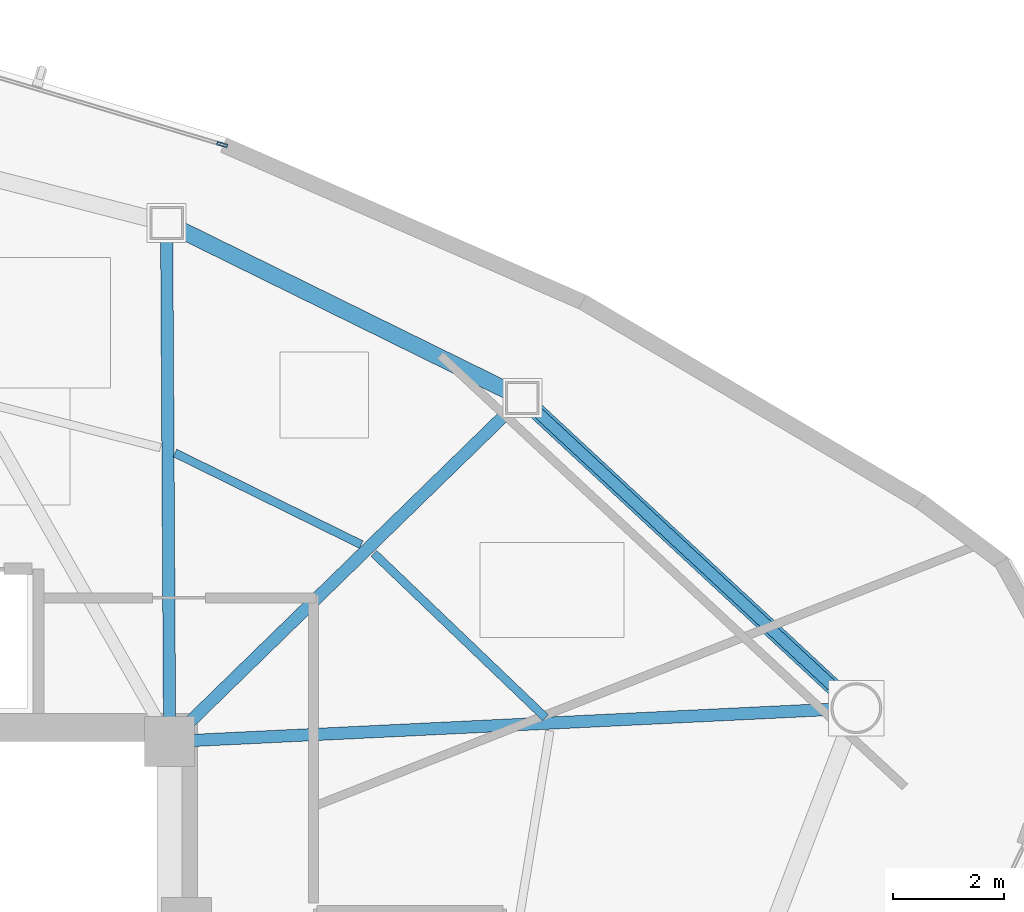
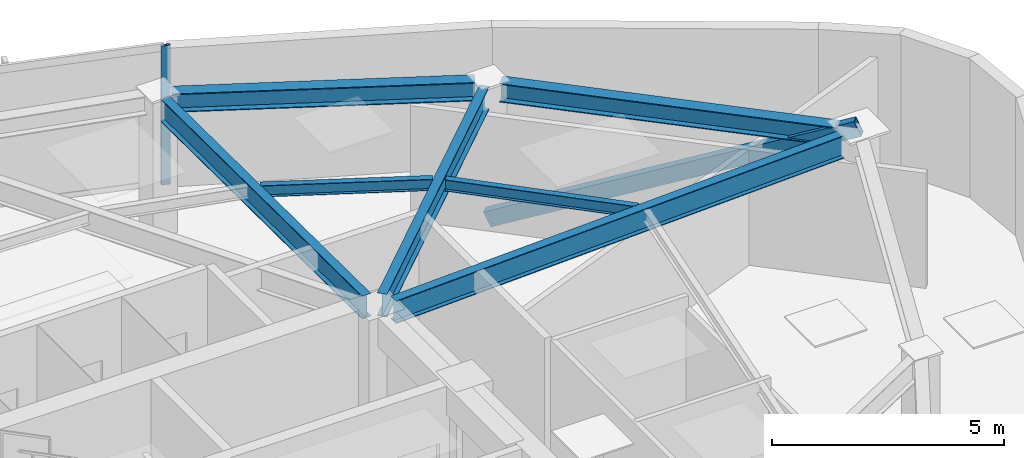
# One storey, part 6 of 13: 7 beams, 2 members, 1 element without a shape of its own.
"""IFC4 building model written with IfcOpenShell, lengths in metres."""

from ifc_helpers import new_model, si_unit, direction, frame, origin, origin_2d, place, context, subcontext, project, spatial, hollow_rectangle, i_section, extrude, source, transform, mapped, material, layer, layer_set, material_profile, profile_set, type_object, type_shapes, element, aggregate, save


model = new_model("IFC4")

# Units and contexts
model_context = context("Model", 3, precision=1e-05, world=origin(), true_north=direction((0.0, 1.0)))
body_context = subcontext(model_context, "Body", "Model", "MODEL_VIEW")
ifc_project = project(units=[si_unit("LENGTHUNIT", "METRE"), si_unit("AREAUNIT", "SQUARE_METRE"), si_unit("VOLUMEUNIT", "CUBIC_METRE"), si_unit("PLANEANGLEUNIT", "RADIAN"), si_unit("MASSUNIT", "GRAM", prefix="KILO")], contexts=[model_context])

# Site, building, storey
site_placement = place(None, origin())
site = spatial("IfcSite", under=ifc_project, at=site_placement, CompositionType="ELEMENT")
building_placement = place(site_placement, origin())
building = spatial("IfcBuilding", under=site, at=building_placement, Name="Tavelor Broadcast Tower", CompositionType="ELEMENT")
storey_placement = place(building_placement, frame((0.0, 0.0, 237.949951171875)))
storey = spatial("IfcBuildingStorey", under=building, at=storey_placement, Name="L56", CompositionType="ELEMENT", Elevation=237.949951171875)

# Beams
ifc_material_1 = material(Name="Steel S355", Category="steel")
ifc_material_profile_1 = material_profile(ifc_material_1, i_section(OverallWidth=0.14990234375, OverallDepth=0.300048828125, WebThickness=0.007080078125, FlangeThickness=0.0107421875, at=origin_2d()), Name="IPE 300")
ifc_profile_set_1 = profile_set([ifc_material_profile_1], Name="Steel S355")
beam_type_1 = type_object("IfcBeamType", Name="Composite Floor Joist T5 IPE 300", PredefinedType="JOIST", material=ifc_profile_set_1)
beam_1_placement = place(storey_placement, frame((63.3427734375, 51.629150390625, 3.5), z_axis=(-0.722407874214, 0.691467181632, 0.0), x_axis=(-0.691467181632, -0.722407874214, 0.0)))
element("IfcBeam", 1, at=beam_1_placement, inside=storey, type_object=beam_type_1, Name="L56 Secondary Composite Floor Joist 13", PredefinedType="JOIST", context=body_context, shape_type="SweptSolid", body=[
    extrude(i_section(OverallWidth=0.14990234375, OverallDepth=0.300048828125, WebThickness=0.007080078125, FlangeThickness=0.0107421875, at=origin_2d()), origin(), (0.0, 0.0, 1.0), 4.260986328125),
])
beam_2_placement = place(storey_placement, frame((60.038818359375, 54.7333984375, 3.5), z_axis=(-0.897394619692, 0.441228848272, 0.0), x_axis=(-0.441228848272, -0.897394619692, 0.0)))
element("IfcBeam", 2, at=beam_2_placement, inside=storey, type_object=beam_type_1, Name="L56 Secondary Composite Floor Joist 14", PredefinedType="JOIST", context=body_context, shape_type="SweptSolid", body=[
    extrude(i_section(OverallWidth=0.14990234375, OverallDepth=0.300048828125, WebThickness=0.007080078125, FlangeThickness=0.0107421875, at=origin_2d()), origin(), (0.0, 0.0, 1.0), 3.7265625),
])
ifc_material_profile_2 = material_profile(ifc_material_1, i_section(OverallWidth=0.300048828125, OverallDepth=0.489990234375, WebThickness=0.011962890625, FlangeThickness=0.02294921875, at=origin_2d()), Name="HEA 500")
ifc_profile_set_2 = profile_set([ifc_material_profile_2], Name="Steel S355")
beam_type_2 = type_object("IfcBeamType", Name="Perimeter Spandrel Beam T5 HEA 500", PredefinedType="SPANDREL", material=ifc_profile_set_2)
beam_3_placement = place(storey_placement, frame((68.59814453125, 52.09765625, 3.405029296875), z_axis=(-0.732770151307, 0.680476234231, 0.0), x_axis=(-0.680476234231, -0.732770151307, 0.0)))
element("IfcBeam", 3, at=beam_3_placement, inside=storey, type_object=beam_type_2, Name="L56 Framed-Tube Ring Spandrel 13", PredefinedType="SPANDREL", context=body_context, shape_type="SweptSolid", body=[
    extrude(i_section(OverallWidth=0.300048828125, OverallDepth=0.489990234375, WebThickness=0.011962890625, FlangeThickness=0.02294921875, at=origin_2d()), origin(), (0.0, 0.0, 1.0), 7.451171875),
])
beam_4_placement = place(storey_placement, frame((62.668701171875, 57.4912109375, 3.405029296875), z_axis=(-0.897262651787, 0.441497150284, 0.0), x_axis=(-0.441497150284, -0.897262651787, 0.0)))
element("IfcBeam", 4, at=beam_4_placement, inside=storey, type_object=beam_type_2, Name="L56 Framed-Tube Ring Spandrel 14", PredefinedType="SPANDREL", context=body_context, shape_type="SweptSolid", body=[
    extrude(i_section(OverallWidth=0.300048828125, OverallDepth=0.489990234375, WebThickness=0.011962890625, FlangeThickness=0.02294921875, at=origin_2d()), origin(), (0.0, 0.0, 1.0), 6.536376953125),
])

# Member
ifc_material_profile_3 = material_profile(ifc_material_1, hollow_rectangle(XDim=0.199951171875, YDim=0.39990234375, WallThickness=0.01611328125, at=origin_2d()), Name="RHS 400x200x16")
ifc_profile_set_3 = profile_set([ifc_material_profile_3], Name="Steel S355")
member_type_1 = type_object("IfcMemberType", Name="Perimeter Tube Brace T5 RHS 400x200x16", PredefinedType="BRACE", material=ifc_profile_set_3)
member_1_placement = place(storey_placement, frame((62.92724609375, 57.364013671875, 0.0), z_axis=(0.669132570724, -0.621397751765, 0.407586109794), x_axis=(0.680486595916, 0.732760528944, 0.0)))
element("IfcMember", 5, at=member_1_placement, inside=storey, type_object=member_type_1, Name="L56 Corner Tube Diagonal Brace 3", PredefinedType="BRACE", context=body_context, shape_type="SweptSolid", body=[
    extrude(hollow_rectangle(XDim=0.199951171875, YDim=0.39990234375, WallThickness=0.01611328125, at=origin_2d()), origin(), (0.0, 0.0, 1.0), 8.95556640625),
])

# Beams
ifc_material_profile_4 = material_profile(ifc_material_1, i_section(OverallWidth=0.219970703125, OverallDepth=0.60009765625, WebThickness=0.011962890625, FlangeThickness=0.01904296875, at=origin_2d()), Name="IPE 600")
ifc_profile_set_4 = profile_set([ifc_material_profile_4], Name="Steel S355")
beam_type_3 = type_object("IfcBeamType", Name="Radial Floor Girder T5 IPE 600", PredefinedType="BEAM", material=ifc_profile_set_4)
beam_5_placement = place(storey_placement, frame((57.031494140625, 51.220947265625, 3.35009765625), z_axis=(0.998819342989, 0.048579008537, 0.0), x_axis=(-0.048579008537, 0.998819342989, 0.0)))
element("IfcBeam", 6, at=beam_5_placement, inside=storey, type_object=beam_type_3, Name="L56 Radial Primary Floor Girder 13", PredefinedType="BEAM", context=body_context, shape_type="SweptSolid", body=[
    extrude(i_section(OverallWidth=0.219970703125, OverallDepth=0.60009765625, WebThickness=0.011962890625, FlangeThickness=0.01904296875, at=origin_2d()), origin(), (0.0, 0.0, 1.0), 11.46337890625),
])
beam_6_placement = place(storey_placement, frame((56.909423828125, 51.50146484375, 3.35009765625), z_axis=(0.716299388852, 0.697793082175, 0.0), x_axis=(-0.697793082175, 0.716299388852, 0.0)))
element("IfcBeam", 7, at=beam_6_placement, inside=storey, type_object=beam_type_3, Name="L56 Radial Primary Floor Girder 14", PredefinedType="BEAM", context=body_context, shape_type="SweptSolid", body=[
    extrude(i_section(OverallWidth=0.219970703125, OverallDepth=0.60009765625, WebThickness=0.011962890625, FlangeThickness=0.01904296875, at=origin_2d()), origin(), (0.0, 0.0, 1.0), 8.11328125),
])
beam_7_placement = place(storey_placement, frame((56.597412109375, 51.632080078125, 3.35009765625), z_axis=(-0.005830390092, 0.999983003131, 0.0), x_axis=(-0.999983003131, -0.005830390092, 0.0)))
element("IfcBeam", 8, at=beam_7_placement, inside=storey, type_object=beam_type_3, Name="L56 Radial Primary Floor Girder 15", PredefinedType="BEAM", context=body_context, shape_type="SweptSolid", body=[
    extrude(i_section(OverallWidth=0.219970703125, OverallDepth=0.60009765625, WebThickness=0.011962890625, FlangeThickness=0.01904296875, at=origin_2d()), origin(), (0.0, 0.0, 1.0), 8.584228515625),
])

# Curtain wall, member
ifc_material_2 = material(Name="Architectural Anodized Aluminium", Category="aluminium")
ifc_layer = layer(ifc_material_2, 0.199951171875)
ifc_layer_set = layer_set([ifc_layer], Name="Architectural Anodized Aluminium")
curtain_wall_type = type_object("IfcCurtainWallType", Name="Tower High-Zone Triple-Glazed Curtain Wall CW04", PredefinedType="NOTDEFINED", material=ifc_layer_set)
curtain_wall_placement = place(storey_placement, origin())
curtain_wall = element("IfcCurtainWall", 9, at=curtain_wall_placement, inside=storey, type_object=curtain_wall_type, Name="L56 Curtain Wall CW04 Run 609", PredefinedType="NOTDEFINED")
ifc_material_profile_5 = material_profile(ifc_material_2, hollow_rectangle(XDim=0.070068359375, YDim=0.199951171875, WallThickness=0.02197265625, at=origin_2d()), Name="RHS 70x200x22")
ifc_profile_set_5 = profile_set([ifc_material_profile_5], Name="Architectural Anodized Aluminium")
member_type_2 = type_object("IfcMemberType", Name="CW04 Extruded Aluminium Mullion 70x200", PredefinedType="MULLION", material=ifc_profile_set_5)
shared_shape = source(origin(), body_context, "Body", "SweptSolid", [
    extrude(hollow_rectangle(XDim=0.070068359375, YDim=0.199951171875, WallThickness=0.02197265625, at=origin_2d()), origin(), (0.0, 0.0, 1.0), 3.650146484375),
])
type_shapes(member_type_2, [shared_shape])
member_2_placement = place(storey_placement, frame((57.542236328125, 61.9111328125, 0.0), z_axis=(0.0, 0.0, 1.0), x_axis=(-0.286946594752, -0.957946580849, 0.0)))
member_2 = element("IfcMember", 10, at=member_2_placement, type_object=member_type_2, Name="CW04 mullion 1", PredefinedType="MULLION", context=body_context, shape_type="MappedRepresentation", body=[
    mapped(shared_shape, transform((0.0, 0.0, 0.0), scale=1.0)),
])
aggregate(curtain_wall, [member_2])

save(model, "model.ifc")
